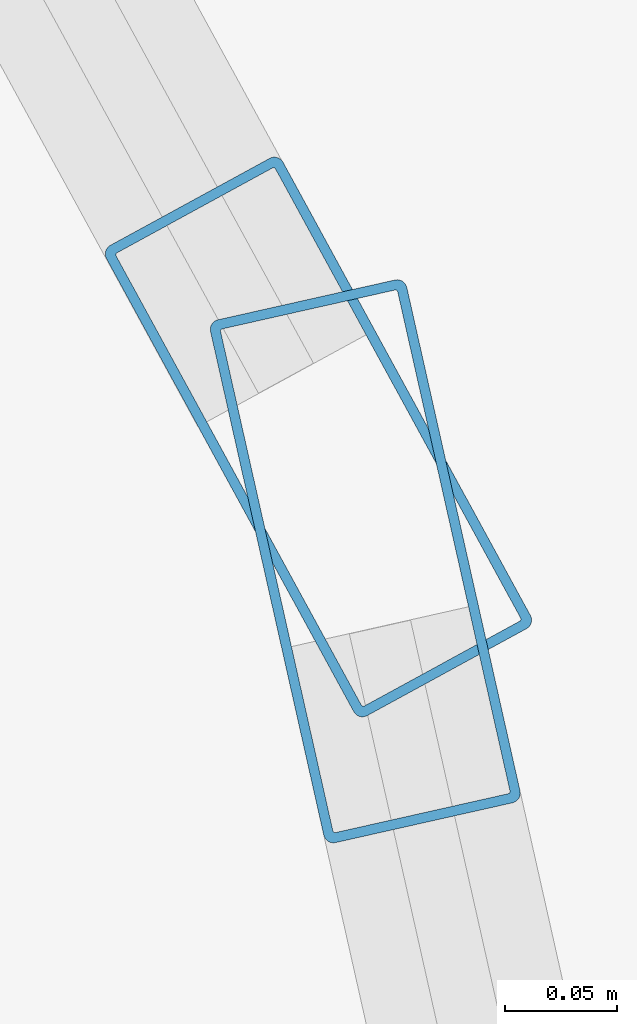
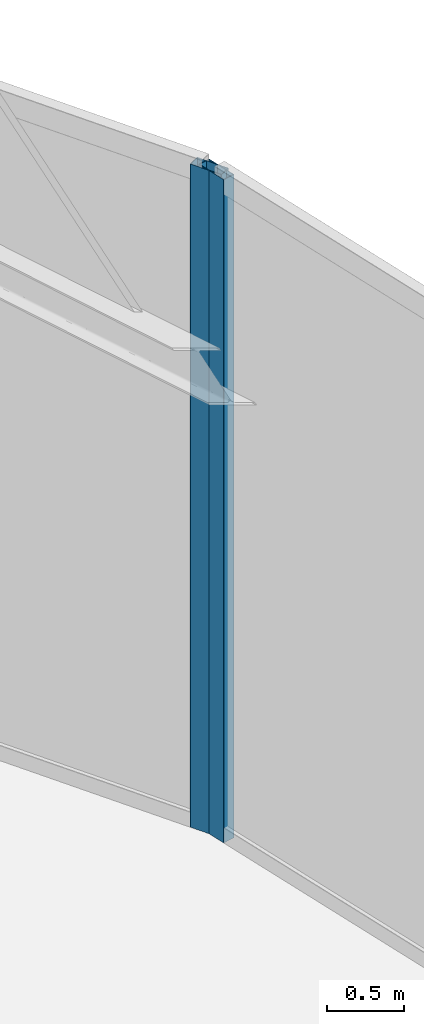
# One storey, part 23 of 40: 2 members, 2 elements without a shape of their own.
"""IFC4 building model written with IfcOpenShell, lengths in metres."""

from ifc_helpers import new_model, si_unit, direction, frame, origin, origin_2d, place, context, subcontext, project, spatial, hollow_rectangle, extrude, material, layer, layer_set, material_profile, profile_set, type_object, element, aggregate, save


model = new_model("IFC4")

# Units and contexts
model_context = context("Model", 3, precision=1e-05, world=origin(), true_north=direction((0.0, 1.0)))
body_context = subcontext(model_context, "Body", "Model", "MODEL_VIEW")
ifc_project = project(units=[si_unit("LENGTHUNIT", "METRE"), si_unit("AREAUNIT", "SQUARE_METRE"), si_unit("VOLUMEUNIT", "CUBIC_METRE"), si_unit("PLANEANGLEUNIT", "RADIAN"), si_unit("MASSUNIT", "GRAM", prefix="KILO")], contexts=[model_context])

# Site, building, storey
site_placement = place(None, origin())
site = spatial("IfcSite", under=ifc_project, at=site_placement, CompositionType="ELEMENT")
building_placement = place(site_placement, origin())
building = spatial("IfcBuilding", under=site, at=building_placement, Name="Bramvorn Convention Spire", CompositionType="ELEMENT")
storey_placement = place(building_placement, frame((0.0, 0.0, 312.5)))
storey = spatial("IfcBuildingStorey", under=building, at=storey_placement, Name="L79", CompositionType="ELEMENT", Elevation=312.5)

# Curtain wall, member
ifc_material_1 = material(Name="Anodised Bronze Unitised Curtain Wall", Category="aluminium")
ifc_layer = layer(ifc_material_1, 0.199951171875)
ifc_layer_set = layer_set([ifc_layer], Name="Anodised Bronze Unitised Curtain Wall - CW-CROWN-SPIRE")
curtain_wall_type = type_object("IfcCurtainWallType", Name="CW-CROWN-SPIRE", PredefinedType="USERDEFINED", material=ifc_layer_set)
curtain_wall_1_placement = place(storey_placement, origin())
curtain_wall_1 = element("IfcCurtainWall", 1, at=curtain_wall_1_placement, inside=storey, type_object=curtain_wall_type, Name="L79 fritted glass curtain wall 06", ObjectType="UNITISED CURTAIN WALL", PredefinedType="USERDEFINED")
ifc_material_2 = material(Name="Anodised Bronze Aluminium 6063-T6", Category="aluminium")
ifc_material_profile = material_profile(ifc_material_2, hollow_rectangle(XDim=0.090087890625, YDim=0.239990234375, WallThickness=0.00439453125, InnerFilletRadius=0.0009765625, OuterFilletRadius=0.00439453125, at=origin_2d()))
ifc_profile_set = profile_set([ifc_material_profile], Name="Anodised Bronze Aluminium 6063-T6 - CWM90X240")
member_type = type_object("IfcMemberType", Name="CW-MUL-220", PredefinedType="MULLION", material=ifc_profile_set)
member_1_placement = place(storey_placement, frame((55.874267578125, 32.70458984375, 0.0), z_axis=(0.0, 0.0, 1.0), x_axis=(0.975644956553, 0.219355690041, 0.0)))
member_1 = element("IfcMember", 2, at=member_1_placement, type_object=member_type, Name="CW6 mullion 1", PredefinedType="MULLION", context=body_context, shape_type="SweptSolid", body=[
    extrude(hollow_rectangle(XDim=0.090087890625, YDim=0.239990234375, WallThickness=0.00439453125, InnerFilletRadius=0.0009765625, OuterFilletRadius=0.00439453125, at=origin_2d()), origin(), (0.0, 0.0, 1.0), 5.25),
])
aggregate(curtain_wall_1, [member_1])

curtain_wall_2_placement = place(storey_placement, origin())
curtain_wall_2 = element("IfcCurtainWall", 3, at=curtain_wall_2_placement, inside=storey, type_object=curtain_wall_type, Name="L79 fritted glass curtain wall 07", ObjectType="UNITISED CURTAIN WALL", PredefinedType="USERDEFINED")
member_2_placement = place(storey_placement, frame((55.853271484375, 32.76025390625, 0.0), z_axis=(0.0, 0.0, 1.0), x_axis=(0.87773898869, 0.479139090174, 0.0)))
member_2 = element("IfcMember", 4, at=member_2_placement, type_object=member_type, Name="CW6 mullion 2", PredefinedType="MULLION", context=body_context, shape_type="SweptSolid", body=[
    extrude(hollow_rectangle(XDim=0.090087890625, YDim=0.239990234375, WallThickness=0.00439453125, InnerFilletRadius=0.0009765625, OuterFilletRadius=0.00439453125, at=origin_2d()), origin(), (0.0, 0.0, 1.0), 5.25),
])
aggregate(curtain_wall_2, [member_2])

save(model, "model.ifc")
